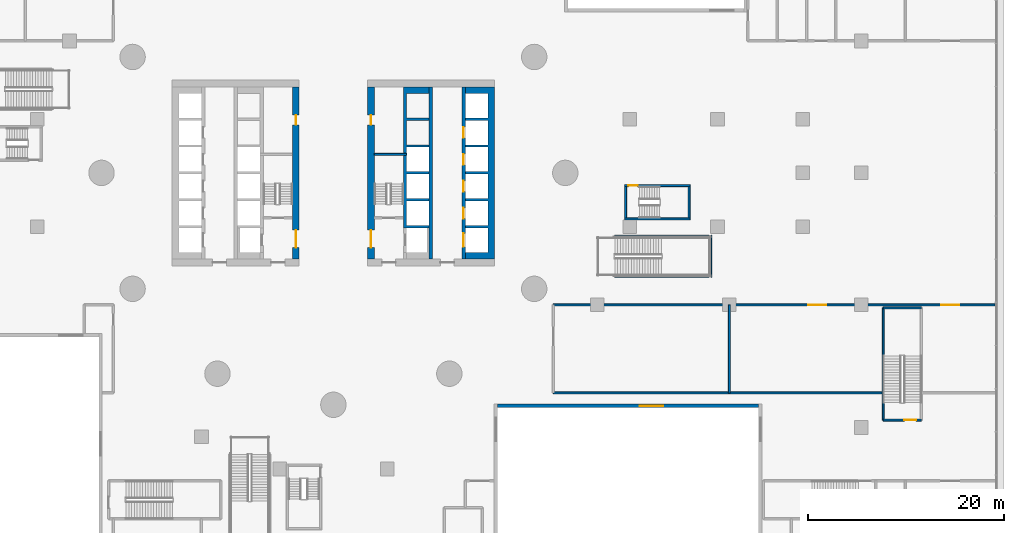
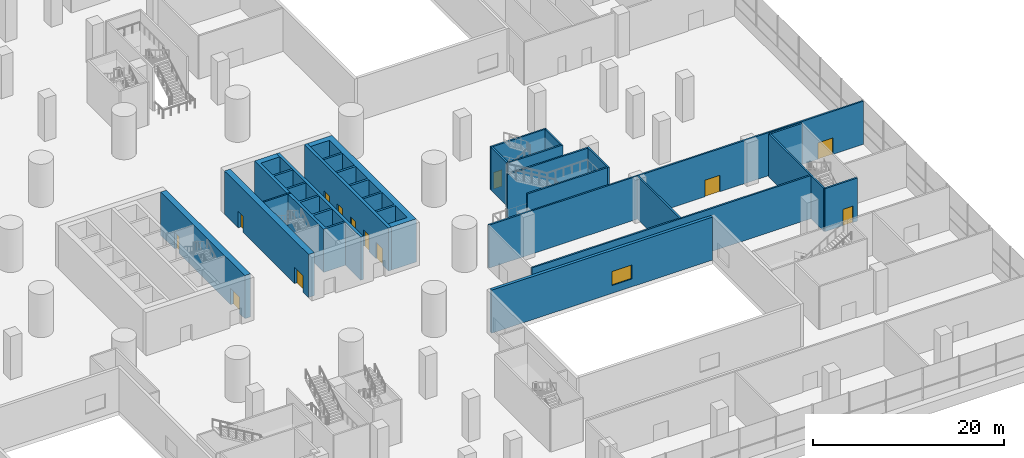
# One storey, part 31 of 52: 21 walls, 13 doors, 1 window, 14 openings.
"""IFC4 building model written with IfcOpenShell, lengths in metres."""

import ifcopenshell
import ifcopenshell.guid

model = None  # the IFC model being written
_history = None  # IfcOwnerHistory: only IFC2X3 demands one
_inside = {}  # id of a spatial element -> (the spatial element, [elements in it])
_under = {}  # id of a project, library or spatial element -> (it, [spatial elements below it])
_declared = {}  # id of a project -> (the project, [libraries it declares])
_typed = {}  # id of a type object -> (the type object, [elements of that type])
_made_of = {}  # id of a material, layer set ... -> (it, [elements and type objects made of it])


def new_model(schema):
    """Start an empty IFC model of exactly this schema.

    Asked for "IFC4X3", IfcOpenShell would pick the latest addendum, in which some entities
    have other attributes; the version numbers below select the first issue.
    IFC2X3 requires an IfcOwnerHistory on every rooted entity: one is made here for all.
    """
    global model, _history
    if schema == "IFC4X3":
        model = ifcopenshell.file(schema_version=(4, 3, 0, 0))
    else:
        model = ifcopenshell.file(schema=schema)
    _inside.clear()
    _under.clear()
    _declared.clear()
    _typed.clear()
    _made_of.clear()
    _history = None
    if model.schema == "IFC2X3":
        org = make("IfcOrganization", Name="unknown")
        user = make(
            "IfcPersonAndOrganization",
            ThePerson=make("IfcPerson", FamilyName="unknown"),
            TheOrganization=org,
        )
        app = make(
            "IfcApplication",
            ApplicationDeveloper=org,
            Version="unknown",
            ApplicationFullName="unknown",
            ApplicationIdentifier="unknown",
        )
        _history = make(
            "IfcOwnerHistory",
            OwningUser=user,
            OwningApplication=app,
            ChangeAction="ADDED",
            CreationDate=0,
        )
    return model


def make(cls, **values):
    """One entity of the class cls with the attributes given. An attribute that is None is left unset."""
    return model.create_entity(
        cls, **{name: value for name, value in values.items() if value is not None}
    )


def rooted(cls, **values):
    """An entity with a GlobalId (a new one), such as an element, a storey or a relation."""
    return make(cls, GlobalId=ifcopenshell.guid.new(), OwnerHistory=_history, **values)


def si_unit(unit_type, name, prefix=None):
    """IfcSIUnit, for example si_unit("LENGTHUNIT", "METRE", prefix="MILLI")."""
    return make("IfcSIUnit", UnitType=unit_type, Prefix=prefix, Name=name)


def assignment(units):
    """IfcUnitAssignment: the units of a project."""
    return None if units is None else make("IfcUnitAssignment", Units=units)


def point(xyz):
    """IfcCartesianPoint."""
    return None if xyz is None else make("IfcCartesianPoint", Coordinates=xyz)


def direction(xyz):
    """IfcDirection."""
    return None if xyz is None else make("IfcDirection", DirectionRatios=xyz)


def frame(location, z_axis=None, x_axis=None):
    """IfcAxis2Placement3D, a coordinate frame: its origin and axes. An axis left out is left unset."""
    return make(
        "IfcAxis2Placement3D",
        Location=point(location),
        Axis=direction(z_axis),
        RefDirection=direction(x_axis),
    )


def frame_2d(location, x_axis=None):
    """IfcAxis2Placement2D, a coordinate frame in the plane: its origin and x axis."""
    return make(
        "IfcAxis2Placement2D", Location=point(location), RefDirection=direction(x_axis)
    )


def origin():
    """The frame at (0, 0, 0) with its axes left unset."""
    return frame((0.0, 0.0, 0.0))


def place(relative_to, where):
    """IfcLocalPlacement: puts the frame where relative to a parent placement (None: the world)."""
    return make(
        "IfcLocalPlacement", PlacementRelTo=relative_to, RelativePlacement=where
    )


def context(
    kind, dimensions, precision=None, world=None, true_north=None, identifier=None
):
    """IfcGeometricRepresentationContext, for example the 3D "Model" context."""
    return make(
        "IfcGeometricRepresentationContext",
        ContextIdentifier=identifier,
        ContextType=kind,
        CoordinateSpaceDimension=dimensions,
        Precision=precision,
        WorldCoordinateSystem=world,
        TrueNorth=true_north,
    )


def subcontext(parent, identifier, kind, view, scale=None):
    """IfcGeometricRepresentationSubContext, for example "Body" below "Model"."""
    return make(
        "IfcGeometricRepresentationSubContext",
        ContextIdentifier=identifier,
        ContextType=kind,
        ParentContext=parent,
        TargetScale=scale,
        TargetView=view,
    )


def project(units=None, contexts=None):
    """IfcProject with its units and contexts."""
    return rooted(
        "IfcProject",
        Name="project",
        RepresentationContexts=contexts,
        UnitsInContext=assignment(units),
    )


def spatial(cls, under=None, at=None, **own):
    """A site, building, storey or space (cls), placed at a placement, below another one or the project."""
    s = rooted(cls, ObjectPlacement=at, **own)
    if under is not None:
        _under.setdefault(under.id(), (under, []))[1].append(s)
    return s


def polyline(points):
    """IfcPolyline through the points."""
    return make("IfcPolyline", Points=[point(p) for p in points])


def profile(cls, at=None, kind="AREA", **sizes):
    """A parametric profile (cls). Its sizes go by their IFC names, for example OverallWidth=200.0."""
    return make(cls, ProfileType=kind, Position=at, **sizes)


def rectangle(**sizes):
    """IfcRectangleProfileDef."""
    return profile("IfcRectangleProfileDef", **sizes)


def outline(outer, holes=None, kind="AREA"):
    """IfcArbitraryClosedProfileDef: a profile drawn as a closed curve; with holes, ...WithVoids."""
    if holes is None:
        return make("IfcArbitraryClosedProfileDef", ProfileType=kind, OuterCurve=outer)
    return make(
        "IfcArbitraryProfileDefWithVoids",
        ProfileType=kind,
        OuterCurve=outer,
        InnerCurves=holes,
    )


def extrude(swept, where, along, depth):
    """IfcExtrudedAreaSolid: the profile swept, set in the frame where, extruded along a direction by depth."""
    return make(
        "IfcExtrudedAreaSolid",
        SweptArea=swept,
        Position=where,
        ExtrudedDirection=direction(along),
        Depth=depth,
    )


def shape(context_of_items, identifier, shape_type, items):
    """IfcShapeRepresentation: the items that make up one representation, for example the "Body"."""
    return make(
        "IfcShapeRepresentation",
        ContextOfItems=context_of_items,
        RepresentationIdentifier=identifier,
        RepresentationType=shape_type,
        Items=items,
    )


def material(Name=None, Category=None):
    """IfcMaterial."""
    return make("IfcMaterial", Name=Name, Category=Category)


def layer(
    of_material, thickness, ventilated=None, Name=None, Category=None, Priority=None
):
    """IfcMaterialLayer: one layer of a wall or slab, of a material (None: an air gap)."""
    return make(
        "IfcMaterialLayer",
        Material=of_material,
        LayerThickness=thickness,
        IsVentilated=ventilated,
        Name=Name,
        Category=Category,
        Priority=Priority,
    )


def layer_set(layers, Name=None):
    """IfcMaterialLayerSet."""
    return make("IfcMaterialLayerSet", MaterialLayers=layers, LayerSetName=Name)


def made_of(thing, what):
    """Note that an element or type object is made of a material, layer set ...; save() writes the relation."""
    if what is not None:
        _made_of.setdefault(what.id(), (what, []))[1].append(thing)
    return thing


def type_object(cls, material=None, **own):
    """A type object (cls), such as IfcWallType, which elements share."""
    return made_of(rooted(cls, **own), material)


def element(
    cls,
    number,
    at=None,
    inside=None,
    cuts=None,
    type_object=None,
    material=None,
    context=None,
    identifier="Body",
    shape_type=None,
    held_by="IfcProductDefinitionShape",
    body=None,
    shapes=None,
    **own,
):
    """One element of the class cls, such as IfcWall. Its Tag is "e" and its number.

    at: its placement. inside: the storey or other place that contains it. cuts: it is an
    opening in that element (IfcRelVoidsElement). A single representation is given by context,
    identifier, shape_type and body (its items); several are given by shapes. held_by: the class
    of the entity that holds the representations. save() writes the other relations.
    """
    e = rooted(cls, Tag="e%d" % number, ObjectPlacement=at, **own)
    if body is not None:
        shapes = [shape(context, identifier, shape_type, body)]
    if shapes is not None:
        e.Representation = make(held_by, Representations=shapes)
    if inside is not None:
        _inside.setdefault(inside.id(), (inside, []))[1].append(e)
    if cuts is not None:
        rooted(
            "IfcRelVoidsElement", RelatingBuildingElement=cuts, RelatedOpeningElement=e
        )
    if type_object is not None:
        _typed.setdefault(type_object.id(), (type_object, []))[1].append(e)
    return made_of(e, material)


def fill(opening, filler):
    """IfcRelFillsElement: the door or window that sits in an opening."""
    return rooted(
        "IfcRelFillsElement",
        RelatingOpeningElement=opening,
        RelatedBuildingElement=filler,
    )


def aggregate(whole, parts):
    """IfcRelAggregates: a whole, such as a stair, and the parts it consists of."""
    return rooted("IfcRelAggregates", RelatingObject=whole, RelatedObjects=parts)


def save(model, path):
    """Write the relations noted so far, then the file.

    IfcRelAggregates (storeys below a building ...), IfcRelContainedInSpatialStructure (elements
    in a storey), IfcRelDefinesByType, IfcRelAssociatesMaterial and IfcRelDeclares: one each for
    every whole, place, type object, material and project.
    """
    for whole, parts in _under.values():
        aggregate(whole, parts)
    for where, things in _inside.values():
        rooted(
            "IfcRelContainedInSpatialStructure",
            RelatedElements=things,
            RelatingStructure=where,
        )
    for kind, things in _typed.values():
        rooted("IfcRelDefinesByType", RelatedObjects=things, RelatingType=kind)
    for what, things in _made_of.values():
        rooted("IfcRelAssociatesMaterial", RelatedObjects=things, RelatingMaterial=what)
    for by, libraries in _declared.values():
        rooted("IfcRelDeclares", RelatingContext=by, RelatedDefinitions=libraries)
    model.write(path)


model = new_model("IFC4")

# Units and contexts
model_context = context("Model", 3, precision=1e-05, world=origin(), true_north=direction((0.0, 1.0)))
body_context = subcontext(model_context, "Body", "Model", "MODEL_VIEW")
ifc_project = project(units=[si_unit("LENGTHUNIT", "METRE"), si_unit("AREAUNIT", "SQUARE_METRE"), si_unit("VOLUMEUNIT", "CUBIC_METRE"), si_unit("PLANEANGLEUNIT", "RADIAN"), si_unit("MASSUNIT", "GRAM", prefix="KILO")], contexts=[model_context])

# Site, building, storey
site_placement = place(None, origin())
site = spatial("IfcSite", under=ifc_project, at=site_placement, CompositionType="ELEMENT")
building_placement = place(site_placement, origin())
building = spatial("IfcBuilding", under=site, at=building_placement, Name="Tamarind Cross Interchange Tower", CompositionType="ELEMENT")
storey_placement = place(building_placement, frame((0.0, 0.0, 9.0)))
storey = spatial("IfcBuildingStorey", under=building, at=storey_placement, Name="L01", CompositionType="ELEMENT", Elevation=9.0)

# Wall, openings, doors
ifc_material_1 = material(Name="Concrete C80", Category="concrete")
ifc_layer_1 = layer(ifc_material_1, 0.699951171875)
ifc_layer_set_1 = layer_set([ifc_layer_1], Name="Concrete C80")
wall_type_1 = type_object("IfcWallType", Name="Core wall 700 mm Concrete C80", PredefinedType="SHEAR", material=ifc_layer_set_1)
wall_1_placement = place(storey_placement, frame((-3.85009765625, -8.800048828125, 0.0), z_axis=(0.0, 0.0, 1.0), x_axis=(0.0, 1.0, 0.0)))
wall_1 = element("IfcWall", 1, at=wall_1_placement, inside=storey, type_object=wall_type_1, Name="Core wall CWL-L01-W-IN", PredefinedType="SHEAR", context=body_context, shape_type="SweptSolid", body=[
    extrude(rectangle(XDim=17.60009765625, YDim=0.699951171875, at=frame_2d((8.800048828125, 0.0))), origin(), (0.0, 0.0, 1.0), 5.5),
])
opening_1_placement = place(wall_1_placement, frame((1.14990234375, 0.0, 0.0)))
opening_1 = element("IfcOpeningElement", 2, at=opening_1_placement, cuts=wall_1, Name="Opening DCW4", PredefinedType="OPENING", context=body_context, shape_type="SweptSolid", body=[
    extrude(rectangle(XDim=1.800048828125, YDim=2.10009765625, at=frame_2d((0.89990234375, 1.050048828125))), frame((0.0, 0.35986328125, 0.0), z_axis=(0.0, -1.0, 0.0), x_axis=(1.0, 0.0, 0.0)), (0.0, 0.0, 1.0), 0.719970703125),
])
opening_2_placement = place(wall_1_placement, frame((13.699951171875, 0.0, 0.0)))
opening_2 = element("IfcOpeningElement", 3, at=opening_2_placement, cuts=wall_1, Name="Opening DCW5", PredefinedType="OPENING", context=body_context, shape_type="SweptSolid", body=[
    extrude(rectangle(XDim=1.0, YDim=2.10009765625, at=frame_2d((0.5, 1.050048828125))), frame((0.0, 0.35986328125, 0.0), z_axis=(0.0, -1.0, 0.0), x_axis=(1.0, 0.0, 0.0)), (0.0, 0.0, 1.0), 0.719970703125),
])
ifc_material_2 = material(Name="Steel, fire-resisting", Category="steel")
door_type_1 = type_object("IfcDoorType", Name="Core fire door 1000 x 2100 FD90", OperationType="SINGLE_SWING_LEFT", PredefinedType="DOOR", material=ifc_material_2)
door_1_placement = place(opening_2_placement, origin())
door_1 = element("IfcDoor", 4, at=door_1_placement, inside=storey, type_object=door_type_1, Name="L01 riser room door", OperationType="SINGLE_SWING_LEFT", OverallHeight=2.10009765625, OverallWidth=1.0, PredefinedType="DOOR", context=body_context, shape_type="SweptSolid", body=[
    extrude(rectangle(XDim=1.0, YDim=2.10009765625, at=frame_2d((0.5, 1.050048828125))), frame((0.0, 0.02490234375, 0.0), z_axis=(0.0, -1.0, 0.0), x_axis=(1.0, 0.0, 0.0)), (0.0, 0.0, 1.0), 0.050048828125),
])
fill(opening_2, door_1)
door_type_2 = type_object("IfcDoorType", Name="Core fire door 1800 x 2100 FD90", OperationType="SINGLE_SWING_LEFT", PredefinedType="DOOR", material=ifc_material_2)
door_2_placement = place(opening_1_placement, origin())
door_2 = element("IfcDoor", 5, at=door_2_placement, inside=storey, type_object=door_type_2, Name="L01 firefighting lobby door", OperationType="SINGLE_SWING_LEFT", OverallHeight=2.10009765625, OverallWidth=1.800048828125, PredefinedType="DOOR", context=body_context, shape_type="SweptSolid", body=[
    extrude(rectangle(XDim=1.800048828125, YDim=2.10009765625, at=frame_2d((0.89990234375, 1.050048828125))), frame((0.0, 0.02490234375, 0.0), z_axis=(0.0, -1.0, 0.0), x_axis=(1.0, 0.0, 0.0)), (0.0, 0.0, 1.0), 0.050048828125),
])
fill(opening_1, door_2)

# Wall
wall_2_placement = place(storey_placement, origin())
element("IfcWall", 6, at=wall_2_placement, inside=storey, type_object=wall_type_1, Name="Core wall CWL-L01-E-A", PredefinedType="SHEAR", context=body_context, shape_type="SweptSolid", body=[
    extrude(outline(polyline([(13.5, -8.800048828125), (15.800048828125, -8.800048828125), (16.5, -8.800048828125), (16.5, 8.800048828125), (15.800048828125, 8.800048828125), (13.5, 8.800048828125), (13.5, 8.125), (15.800048828125, 8.125), (15.800048828125, 5.625), (13.5, 5.625), (13.5, 5.375), (15.800048828125, 5.375), (15.800048828125, 2.875), (13.5, 2.875), (13.5, 2.625), (15.800048828125, 2.625), (15.800048828125, 0.125), (13.5, 0.125), (13.5, -0.125), (15.800048828125, -0.125), (15.800048828125, -2.625), (13.5, -2.625), (13.5, -2.875), (15.800048828125, -2.875), (15.800048828125, -5.375), (13.5, -5.375), (13.5, -5.625), (15.800048828125, -5.625), (15.800048828125, -8.125), (13.5, -8.125), (13.5, -8.800048828125)])), origin(), (0.0, 0.0, 1.0), 5.5),
])

# Wall, openings, doors
wall_3_placement = place(storey_placement, frame((3.85009765625, -8.800048828125, 0.0), z_axis=(0.0, 0.0, 1.0), x_axis=(0.0, 1.0, 0.0)))
wall_3 = element("IfcWall", 7, at=wall_3_placement, inside=storey, type_object=wall_type_1, Name="Core wall CWL-L01-E-IN", PredefinedType="SHEAR", context=body_context, shape_type="SweptSolid", body=[
    extrude(rectangle(XDim=17.60009765625, YDim=0.699951171875, at=frame_2d((8.800048828125, 0.0))), origin(), (0.0, 0.0, 1.0), 5.5),
])
opening_3_placement = place(wall_3_placement, frame((1.14990234375, 0.0, 0.0)))
opening_3 = element("IfcOpeningElement", 8, at=opening_3_placement, cuts=wall_3, Name="Opening DCE4", PredefinedType="OPENING", context=body_context, shape_type="SweptSolid", body=[
    extrude(rectangle(XDim=1.800048828125, YDim=2.10009765625, at=frame_2d((0.89990234375, 1.050048828125))), frame((0.0, 0.35986328125, 0.0), z_axis=(0.0, -1.0, 0.0), x_axis=(1.0, 0.0, 0.0)), (0.0, 0.0, 1.0), 0.719970703125),
])
opening_4_placement = place(wall_3_placement, frame((13.699951171875, 0.0, 0.0)))
opening_4 = element("IfcOpeningElement", 9, at=opening_4_placement, cuts=wall_3, Name="Opening DCE5", PredefinedType="OPENING", context=body_context, shape_type="SweptSolid", body=[
    extrude(rectangle(XDim=1.0, YDim=2.10009765625, at=frame_2d((0.5, 1.050048828125))), frame((0.0, 0.35986328125, 0.0), z_axis=(0.0, -1.0, 0.0), x_axis=(1.0, 0.0, 0.0)), (0.0, 0.0, 1.0), 0.719970703125),
])
door_3_placement = place(opening_4_placement, origin())
door_3 = element("IfcDoor", 10, at=door_3_placement, inside=storey, type_object=door_type_1, Name="L01 riser room door", OperationType="SINGLE_SWING_LEFT", OverallHeight=2.10009765625, OverallWidth=1.0, PredefinedType="DOOR", context=body_context, shape_type="SweptSolid", body=[
    extrude(rectangle(XDim=1.0, YDim=2.10009765625, at=frame_2d((0.5, 1.050048828125))), frame((0.0, 0.02490234375, 0.0), z_axis=(0.0, -1.0, 0.0), x_axis=(1.0, 0.0, 0.0)), (0.0, 0.0, 1.0), 0.050048828125),
])
fill(opening_4, door_3)
door_4_placement = place(opening_3_placement, origin())
door_4 = element("IfcDoor", 11, at=door_4_placement, inside=storey, type_object=door_type_2, Name="L01 firefighting lobby door", OperationType="SINGLE_SWING_LEFT", OverallHeight=2.10009765625, OverallWidth=1.800048828125, PredefinedType="DOOR", context=body_context, shape_type="SweptSolid", body=[
    extrude(rectangle(XDim=1.800048828125, YDim=2.10009765625, at=frame_2d((0.89990234375, 1.050048828125))), frame((0.0, 0.02490234375, 0.0), z_axis=(0.0, -1.0, 0.0), x_axis=(1.0, 0.0, 0.0)), (0.0, 0.0, 1.0), 0.050048828125),
])
fill(opening_3, door_4)

# Walls
ifc_layer_2 = layer(ifc_material_1, 0.199951171875)
ifc_layer_set_2 = layer_set([ifc_layer_2], Name="Concrete C80")
wall_type_2 = type_object("IfcWallType", Name="Core web wall 200 mm Concrete C80", PredefinedType="SHEAR", material=ifc_layer_set_2)
wall_4_placement = place(storey_placement, frame((7.5, 1.89990234375, 0.0), z_axis=(0.0, 0.0, 1.0), x_axis=(-1.0, 0.0, 0.0)))
element("IfcWall", 12, at=wall_4_placement, inside=storey, type_object=wall_type_2, Name="Core wall CWL-L01-E-BD", PredefinedType="SHEAR", context=body_context, shape_type="SweptSolid", body=[
    extrude(rectangle(XDim=3.300048828125, YDim=0.199951171875, at=frame_2d((1.64990234375, 0.0))), origin(), (0.0, 0.0, 1.0), 5.5),
])
ifc_layer_3 = layer(ifc_material_1, 0.35009765625)
ifc_layer_set_3 = layer_set([ifc_layer_3], Name="Concrete C80")
wall_type_3 = type_object("IfcWallType", Name="Core web wall 350 mm Concrete C80", PredefinedType="SHEAR", material=ifc_layer_set_3)
wall_5_placement = place(storey_placement, origin())
element("IfcWall", 13, at=wall_5_placement, inside=storey, type_object=wall_type_3, Name="Core wall CWL-L01-E-BN", PredefinedType="SHEAR", context=body_context, shape_type="SweptSolid", body=[
    extrude(outline(polyline([(9.800048828125, -5.375), (7.5, -5.375), (7.5, -2.875), (9.800048828125, -2.875), (9.800048828125, -2.625), (7.5, -2.625), (7.5, -0.125), (9.800048828125, -0.125), (9.800048828125, 0.125), (7.5, 0.125), (7.5, 2.625), (9.800048828125, 2.625), (9.800048828125, 2.875), (7.5, 2.875), (7.5, 5.375), (9.800048828125, 5.375), (9.800048828125, 5.625), (7.5, 5.625), (7.5, 8.125), (9.800048828125, 8.125), (9.800048828125, 8.800048828125), (7.5, 8.800048828125), (7.14990234375, 8.800048828125), (7.14990234375, -5.625), (7.5, -5.625), (9.800048828125, -5.625), (9.800048828125, -5.375)])), origin(), (0.0, 0.0, 1.0), 5.5),
])

# Wall, openings, doors
wall_6_placement = place(storey_placement, frame((13.324951171875, -8.800048828125, 0.0), z_axis=(0.0, 0.0, 1.0), x_axis=(0.0, 1.0, 0.0)))
wall_6 = element("IfcWall", 14, at=wall_6_placement, inside=storey, type_object=wall_type_3, Name="Core wall CWL-L01-E-LA", PredefinedType="SHEAR", context=body_context, shape_type="SweptSolid", body=[
    extrude(rectangle(XDim=17.60009765625, YDim=0.35009765625, at=frame_2d((8.800048828125, 0.0))), origin(), (0.0, 0.0, 1.0), 5.5),
])
opening_5_placement = place(wall_6_placement, frame((1.22509765625, 0.0, 0.0)))
opening_5 = element("IfcOpeningElement", 15, at=opening_5_placement, cuts=wall_6, Name="Opening LD13L01", PredefinedType="OPENING", context=body_context, shape_type="SweptSolid", body=[
    extrude(rectangle(XDim=1.39990234375, YDim=2.10009765625, at=frame_2d((0.699951171875, 1.050048828125))), frame((0.0, 0.18505859375, 0.0), z_axis=(0.0, -1.0, 0.0), x_axis=(1.0, 0.0, 0.0)), (0.0, 0.0, 1.0), 0.3701171875),
])
opening_6_placement = place(wall_6_placement, frame((4.125, 0.0, 0.0)))
opening_6 = element("IfcOpeningElement", 16, at=opening_6_placement, cuts=wall_6, Name="Opening LD14L01", PredefinedType="OPENING", context=body_context, shape_type="SweptSolid", body=[
    extrude(rectangle(XDim=1.10009765625, YDim=2.10009765625, at=frame_2d((0.550048828125, 1.050048828125))), frame((0.0, 0.18505859375, 0.0), z_axis=(0.0, -1.0, 0.0), x_axis=(1.0, 0.0, 0.0)), (0.0, 0.0, 1.0), 0.3701171875),
])
opening_7_placement = place(wall_6_placement, frame((6.875, 0.0, 0.0)))
opening_7 = element("IfcOpeningElement", 17, at=opening_7_placement, cuts=wall_6, Name="Opening LD15L01", PredefinedType="OPENING", context=body_context, shape_type="SweptSolid", body=[
    extrude(rectangle(XDim=1.10009765625, YDim=2.10009765625, at=frame_2d((0.550048828125, 1.050048828125))), frame((0.0, 0.18505859375, 0.0), z_axis=(0.0, -1.0, 0.0), x_axis=(1.0, 0.0, 0.0)), (0.0, 0.0, 1.0), 0.3701171875),
])
opening_8_placement = place(wall_6_placement, frame((9.625, 0.0, 0.0)))
opening_8 = element("IfcOpeningElement", 18, at=opening_8_placement, cuts=wall_6, Name="Opening LD16L01", PredefinedType="OPENING", context=body_context, shape_type="SweptSolid", body=[
    extrude(rectangle(XDim=1.10009765625, YDim=2.10009765625, at=frame_2d((0.550048828125, 1.050048828125))), frame((0.0, 0.18505859375, 0.0), z_axis=(0.0, -1.0, 0.0), x_axis=(1.0, 0.0, 0.0)), (0.0, 0.0, 1.0), 0.3701171875),
])
opening_9_placement = place(wall_6_placement, frame((12.375, 0.0, 0.0)))
opening_9 = element("IfcOpeningElement", 19, at=opening_9_placement, cuts=wall_6, Name="Opening LD17L01", PredefinedType="OPENING", context=body_context, shape_type="SweptSolid", body=[
    extrude(rectangle(XDim=1.10009765625, YDim=2.10009765625, at=frame_2d((0.550048828125, 1.050048828125))), frame((0.0, 0.18505859375, 0.0), z_axis=(0.0, -1.0, 0.0), x_axis=(1.0, 0.0, 0.0)), (0.0, 0.0, 1.0), 0.3701171875),
])
ifc_material_3 = material(Name="Stainless steel panel", Category="steel")
door_type_3 = type_object("IfcDoorType", Name="Lift landing door 1100 x 2100 E 120", OperationType="SLIDING_TO_LEFT", PredefinedType="DOOR", material=ifc_material_3)
door_5_placement = place(opening_6_placement, origin())
door_5 = element("IfcDoor", 20, at=door_5_placement, inside=storey, type_object=door_type_3, Name="L01 landing door LF14", OperationType="SLIDING_TO_LEFT", OverallHeight=2.10009765625, OverallWidth=1.10009765625, PredefinedType="DOOR", context=body_context, shape_type="SweptSolid", body=[
    extrude(rectangle(XDim=1.10009765625, YDim=2.10009765625, at=frame_2d((0.550048828125, 1.050048828125))), frame((0.0, 0.02490234375, 0.0), z_axis=(0.0, -1.0, 0.0), x_axis=(1.0, 0.0, 0.0)), (0.0, 0.0, 1.0), 0.050048828125),
])
fill(opening_6, door_5)
door_6_placement = place(opening_7_placement, origin())
door_6 = element("IfcDoor", 21, at=door_6_placement, inside=storey, type_object=door_type_3, Name="L01 landing door LF15", OperationType="SLIDING_TO_LEFT", OverallHeight=2.10009765625, OverallWidth=1.10009765625, PredefinedType="DOOR", context=body_context, shape_type="SweptSolid", body=[
    extrude(rectangle(XDim=1.10009765625, YDim=2.10009765625, at=frame_2d((0.550048828125, 1.050048828125))), frame((0.0, 0.02490234375, 0.0), z_axis=(0.0, -1.0, 0.0), x_axis=(1.0, 0.0, 0.0)), (0.0, 0.0, 1.0), 0.050048828125),
])
fill(opening_7, door_6)
door_7_placement = place(opening_8_placement, origin())
door_7 = element("IfcDoor", 22, at=door_7_placement, inside=storey, type_object=door_type_3, Name="L01 landing door LF16", OperationType="SLIDING_TO_LEFT", OverallHeight=2.10009765625, OverallWidth=1.10009765625, PredefinedType="DOOR", context=body_context, shape_type="SweptSolid", body=[
    extrude(rectangle(XDim=1.10009765625, YDim=2.10009765625, at=frame_2d((0.550048828125, 1.050048828125))), frame((0.0, 0.02490234375, 0.0), z_axis=(0.0, -1.0, 0.0), x_axis=(1.0, 0.0, 0.0)), (0.0, 0.0, 1.0), 0.050048828125),
])
fill(opening_8, door_7)
door_8_placement = place(opening_9_placement, origin())
door_8 = element("IfcDoor", 23, at=door_8_placement, inside=storey, type_object=door_type_3, Name="L01 landing door LF17", OperationType="SLIDING_TO_LEFT", OverallHeight=2.10009765625, OverallWidth=1.10009765625, PredefinedType="DOOR", context=body_context, shape_type="SweptSolid", body=[
    extrude(rectangle(XDim=1.10009765625, YDim=2.10009765625, at=frame_2d((0.550048828125, 1.050048828125))), frame((0.0, 0.02490234375, 0.0), z_axis=(0.0, -1.0, 0.0), x_axis=(1.0, 0.0, 0.0)), (0.0, 0.0, 1.0), 0.050048828125),
])
fill(opening_9, door_8)
door_type_4 = type_object("IfcDoorType", Name="Lift landing door 1400 x 2100 E 120", OperationType="SLIDING_TO_LEFT", PredefinedType="DOOR", material=ifc_material_3)
door_9_placement = place(opening_5_placement, origin())
door_9 = element("IfcDoor", 24, at=door_9_placement, inside=storey, type_object=door_type_4, Name="L01 landing door LF13", OperationType="SLIDING_TO_LEFT", OverallHeight=2.10009765625, OverallWidth=1.39990234375, PredefinedType="DOOR", context=body_context, shape_type="SweptSolid", body=[
    extrude(rectangle(XDim=1.39990234375, YDim=2.10009765625, at=frame_2d((0.699951171875, 1.050048828125))), frame((0.0, 0.02490234375, 0.0), z_axis=(0.0, -1.0, 0.0), x_axis=(1.0, 0.0, 0.0)), (0.0, 0.0, 1.0), 0.050048828125),
])
fill(opening_5, door_9)

# Walls
wall_7_placement = place(storey_placement, frame((9.97509765625, -8.800048828125, 0.0), z_axis=(0.0, 0.0, 1.0), x_axis=(0.0, 1.0, 0.0)))
element("IfcWall", 25, at=wall_7_placement, inside=storey, type_object=wall_type_3, Name="Core wall CWL-L01-E-LB", PredefinedType="SHEAR", context=body_context, shape_type="SweptSolid", body=[
    extrude(rectangle(XDim=17.60009765625, YDim=0.35009765625, at=frame_2d((8.800048828125, 0.0))), origin(), (0.0, 0.0, 1.0), 5.5),
])
ifc_material_4 = material(Name="Masonry partition, fire-rated", Category="masonry")
ifc_layer_4 = layer(ifc_material_4, 0.199951171875)
ifc_layer_set_4 = layer_set([ifc_layer_4], Name="Masonry partition, fire-rated")
wall_type_4 = type_object("IfcWallType", Name="Fire partition 200 EI 120", PredefinedType="PARTITIONING", material=ifc_layer_set_4)
wall_8_placement = place(storey_placement, frame((22.5, -22.5, 0.0), z_axis=(0.0, 0.0, 1.0), x_axis=(1.0, 0.0, 0.0)))
element("IfcWall", 26, at=wall_8_placement, inside=storey, type_object=wall_type_4, Name="L01 partition 99", PredefinedType="PARTITIONING", context=body_context, shape_type="SweptSolid", body=[
    extrude(rectangle(XDim=33.719970703125, YDim=0.199951171875, at=frame_2d((16.85986328125, 0.0))), origin(), (0.0, 0.0, 1.0), 5.5),
])
wall_9_placement = place(storey_placement, frame((40.5, -22.5, 0.0), z_axis=(0.0, 0.0, 1.0), x_axis=(0.0, 1.0, 0.0)))
element("IfcWall", 27, at=wall_9_placement, inside=storey, type_object=wall_type_4, Name="L01 partition 100", PredefinedType="PARTITIONING", context=body_context, shape_type="SweptSolid", body=[
    extrude(rectangle(XDim=9.0, YDim=0.199951171875, at=frame_2d((4.5, 0.0))), origin(), (0.0, 0.0, 1.0), 5.5),
])

# Wall, openings, doors
wall_10_placement = place(storey_placement, frame((22.5, -13.5, 0.0), z_axis=(0.0, 0.0, 1.0), x_axis=(1.0, 0.0, 0.0)))
wall_10 = element("IfcWall", 28, at=wall_10_placement, inside=storey, type_object=wall_type_4, Name="L01 partition 102", PredefinedType="PARTITIONING", context=body_context, shape_type="SweptSolid", body=[
    extrude(rectangle(XDim=45.198974609375, YDim=0.199951171875, at=frame_2d((22.599609375, 0.0))), origin(), (0.0, 0.0, 1.0), 5.5),
])
opening_10_placement = place(wall_10_placement, frame((26.10009765625, 0.0, 0.0)))
opening_10 = element("IfcOpeningElement", 29, at=opening_10_placement, cuts=wall_10, Name="Opening DL01-44", PredefinedType="OPENING", context=body_context, shape_type="SweptSolid", body=[
    extrude(rectangle(XDim=1.800048828125, YDim=2.10009765625, at=frame_2d((0.89990234375, 1.050048828125))), frame((0.0, 0.10986328125, 0.0), z_axis=(0.0, -1.0, 0.0), x_axis=(1.0, 0.0, 0.0)), (0.0, 0.0, 1.0), 0.219970703125),
])
opening_11_placement = place(wall_10_placement, frame((39.699951171875, 0.0, 0.0)))
opening_11 = element("IfcOpeningElement", 30, at=opening_11_placement, cuts=wall_10, Name="Opening DL01-45", PredefinedType="OPENING", context=body_context, shape_type="SweptSolid", body=[
    extrude(rectangle(XDim=1.800048828125, YDim=2.10009765625, at=frame_2d((0.89990234375, 1.050048828125))), frame((0.0, 0.10986328125, 0.0), z_axis=(0.0, -1.0, 0.0), x_axis=(1.0, 0.0, 0.0)), (0.0, 0.0, 1.0), 0.219970703125),
])
door_type_5 = type_object("IfcDoorType", Name="Podium door 1800 x 2100 FD60", OperationType="SINGLE_SWING_LEFT", PredefinedType="DOOR", material=ifc_material_2)
door_10_placement = place(opening_10_placement, origin())
door_10 = element("IfcDoor", 31, at=door_10_placement, inside=storey, type_object=door_type_5, Name="L01 door Gift Shop 0128", OperationType="SINGLE_SWING_RIGHT", OverallHeight=2.10009765625, OverallWidth=1.800048828125, PredefinedType="DOOR", context=body_context, shape_type="SweptSolid", body=[
    extrude(rectangle(XDim=1.800048828125, YDim=2.10009765625, at=frame_2d((0.89990234375, 1.050048828125))), frame((0.0, 0.02490234375, 0.0), z_axis=(0.0, -1.0, 0.0), x_axis=(1.0, 0.0, 0.0)), (0.0, 0.0, 1.0), 0.050048828125),
])
fill(opening_10, door_10)
door_11_placement = place(opening_11_placement, origin())
door_11 = element("IfcDoor", 32, at=door_11_placement, inside=storey, type_object=door_type_5, Name="L01 door Bookshop 0129", OperationType="SINGLE_SWING_LEFT", OverallHeight=2.10009765625, OverallWidth=1.800048828125, PredefinedType="DOOR", context=body_context, shape_type="SweptSolid", body=[
    extrude(rectangle(XDim=1.800048828125, YDim=2.10009765625, at=frame_2d((0.89990234375, 1.050048828125))), frame((0.0, 0.02490234375, 0.0), z_axis=(0.0, -1.0, 0.0), x_axis=(1.0, 0.0, 0.0)), (0.0, 0.0, 1.0), 0.050048828125),
])
fill(opening_11, door_11)

# Wall, opening, window
ifc_material_5 = material(Name="Precast concrete C40", Category="concrete")
ifc_layer_5 = layer(ifc_material_5, 0.35009765625)
ifc_layer_set_5 = layer_set([ifc_layer_5], Name="Precast concrete C40")
wall_type_5 = type_object("IfcWallType", Name="Podium facade wall", PredefinedType="SOLIDWALL", material=ifc_layer_set_5)
wall_11_placement = place(storey_placement, frame((16.800048828125, -23.824951171875, 0.0), z_axis=(0.0, 0.0, 1.0), x_axis=(1.0, 0.0, 0.0)))
wall_11 = element("IfcWall", 33, at=wall_11_placement, inside=storey, type_object=wall_type_5, Name="CTW-L01-SEN00", PredefinedType="SOLIDWALL", context=body_context, shape_type="SweptSolid", body=[
    extrude(rectangle(XDim=26.699951171875, YDim=0.35009765625, at=frame_2d((13.35009765625, 0.0))), origin(), (0.0, 0.0, 1.0), 5.5),
])
opening_12_placement = place(wall_11_placement, frame((14.550048828125, 0.0, 1.0)))
opening_12 = element("IfcOpeningElement", 34, at=opening_12_placement, cuts=wall_11, Name="Opening W4", PredefinedType="OPENING", context=body_context, shape_type="SweptSolid", body=[
    extrude(rectangle(XDim=2.39990234375, YDim=1.800048828125, at=frame_2d((1.199951171875, 0.89990234375))), frame((0.0, 0.18505859375, 0.0), z_axis=(0.0, -1.0, 0.0), x_axis=(1.0, 0.0, 0.0)), (0.0, 0.0, 1.0), 0.3701171875),
])
ifc_material_6 = material(Name="Aluminium and toughened glass", Category="aluminium")
window_type = type_object("IfcWindowType", Name="Podium daylight window", PartitioningType="SINGLE_PANEL", PredefinedType="WINDOW", material=ifc_material_6)
window_placement = place(opening_12_placement, origin())
window = element("IfcWindow", 35, at=window_placement, inside=storey, type_object=window_type, Name="CTX-L01-SEN-01-00", OverallHeight=1.800048828125, OverallWidth=2.39990234375, PartitioningType="SINGLE_PANEL", PredefinedType="WINDOW", context=body_context, shape_type="SweptSolid", body=[
    extrude(rectangle(XDim=2.39990234375, YDim=1.800048828125, at=frame_2d((1.199951171875, 0.89990234375))), frame((0.0, 0.030029296875, 0.0), z_axis=(0.0, -1.0, 0.0), x_axis=(1.0, 0.0, 0.0)), (0.0, 0.0, 1.0), 0.06005859375),
])
fill(opening_12, window)

# Walls
ifc_material_7 = material(Name="Concrete C40", Category="concrete")
ifc_layer_6 = layer(ifc_material_7, 0.199951171875)
ifc_layer_set_6 = layer_set([ifc_layer_6], Name="Concrete C40")
wall_type_6 = type_object("IfcWallType", Name="Stair shaft wall 200", PredefinedType="SOLIDWALL", material=ifc_layer_set_6)
for number, where, z_axis, x_axis, name in (
    (36, (28.800048828125, -10.60009765625, 0.0), (0.0, 0.0, 1.0), (1.0, 0.0, 0.0), "public stair PS-E shaft wall L"),
    (37, (28.800048828125, -6.5, 0.0), (0.0, 0.0, 1.0), (1.0, 0.0, 0.0), "public stair PS-E shaft wall R"),
):
    element("IfcWall", number, at=place(storey_placement, frame(where, z_axis=z_axis, x_axis=x_axis)), inside=storey, type_object=wall_type_6, Name=name, PredefinedType="SOLIDWALL", context=body_context, shape_type="SweptSolid", body=[
        extrude(rectangle(XDim=9.699951171875, YDim=0.199951171875, at=frame_2d((4.85009765625, 0.0))), origin(), (0.0, 0.0, 1.0), 5.5),
    ])
wall_12_placement = place(storey_placement, frame((38.60009765625, -10.699951171875, 0.0), z_axis=(0.0, 0.0, 1.0), x_axis=(0.0, 1.0, 0.0)))
element("IfcWall", 38, at=wall_12_placement, inside=storey, type_object=wall_type_6, Name="public stair PS-E shaft wall F", PredefinedType="SOLIDWALL", context=body_context, shape_type="SweptSolid", body=[
    extrude(rectangle(XDim=4.300048828125, YDim=0.199951171875, at=frame_2d((2.14990234375, 0.0))), origin(), (0.0, 0.0, 1.0), 5.5),
])
ifc_layer_7 = layer(ifc_material_7, 0.199951171875)
ifc_layer_set_7 = layer_set([ifc_layer_7], Name="Concrete C40")
wall_type_7 = type_object("IfcWallType", Name="Stair shaft wall 200 EI 180", PredefinedType="PARTITIONING", material=ifc_layer_set_7)
wall_13_placement = place(storey_placement, frame((56.25, -25.300048828125, 0.0), z_axis=(0.0, 0.0, 1.0), x_axis=(0.0, 1.0, 0.0)))
element("IfcWall", 39, at=wall_13_placement, inside=storey, type_object=wall_type_7, Name="L01 stair shaft wall 37", PredefinedType="PARTITIONING", context=body_context, shape_type="SweptSolid", body=[
    extrude(rectangle(XDim=11.5, YDim=0.199951171875, at=frame_2d((5.75, 0.0))), origin(), (0.0, 0.0, 1.0), 5.5),
])
wall_14_placement = place(storey_placement, frame((56.25, -13.800048828125, 0.0), z_axis=(0.0, 0.0, 1.0), x_axis=(1.0, 0.0, 0.0)))
element("IfcWall", 40, at=wall_14_placement, inside=storey, type_object=wall_type_7, Name="L01 stair shaft wall 38", PredefinedType="PARTITIONING", context=body_context, shape_type="SweptSolid", body=[
    extrude(rectangle(XDim=3.89990234375, YDim=0.199951171875, at=frame_2d((1.949951171875, 0.0))), origin(), (0.0, 0.0, 1.0), 5.5),
])

# Wall, opening, door
wall_15_placement = place(storey_placement, frame((56.25, -25.300048828125, 0.0), z_axis=(0.0, 0.0, 1.0), x_axis=(1.0, 0.0, 0.0)))
wall_15 = element("IfcWall", 41, at=wall_15_placement, inside=storey, type_object=wall_type_7, Name="L01 stair shaft wall 40", PredefinedType="PARTITIONING", context=body_context, shape_type="SweptSolid", body=[
    extrude(rectangle(XDim=3.89990234375, YDim=0.199951171875, at=frame_2d((1.949951171875, 0.0))), origin(), (0.0, 0.0, 1.0), 5.5),
])
opening_13_placement = place(wall_15_placement, frame((2.14990234375, 0.0, 0.0)))
opening_13 = element("IfcOpeningElement", 42, at=opening_13_placement, cuts=wall_15, Name="Opening DL01-11", PredefinedType="OPENING", context=body_context, shape_type="SweptSolid", body=[
    extrude(rectangle(XDim=1.199951171875, YDim=2.10009765625, at=frame_2d((0.60009765625, 1.050048828125))), frame((0.0, 0.10986328125, 0.0), z_axis=(0.0, -1.0, 0.0), x_axis=(1.0, 0.0, 0.0)), (0.0, 0.0, 1.0), 0.219970703125),
])
door_type_6 = type_object("IfcDoorType", Name="Podium door 1200 x 2100 FD90", OperationType="SINGLE_SWING_LEFT", PredefinedType="DOOR", material=ifc_material_2)
door_12_placement = place(opening_13_placement, origin())
door_12 = element("IfcDoor", 43, at=door_12_placement, inside=storey, type_object=door_type_6, Name="L01 door Exit Stair PX11", OperationType="SINGLE_SWING_LEFT", OverallHeight=2.10009765625, OverallWidth=1.199951171875, PredefinedType="DOOR", context=body_context, shape_type="SweptSolid", body=[
    extrude(rectangle(XDim=1.199951171875, YDim=2.10009765625, at=frame_2d((0.60009765625, 1.050048828125))), frame((0.0, 0.02490234375, 0.0), z_axis=(0.0, -1.0, 0.0), x_axis=(1.0, 0.0, 0.0)), (0.0, 0.0, 1.0), 0.050048828125),
])
fill(opening_13, door_12)

ifc_layer_8 = layer(ifc_material_7, 0.199951171875)
ifc_layer_set_8 = layer_set([ifc_layer_8], Name="Concrete C40")
wall_type_8 = type_object("IfcWallType", Name="Stair shaft wall 200 mm Concrete C40", PredefinedType="SHEAR", material=ifc_layer_set_8)
wall_16_placement = place(storey_placement, frame((29.800048828125, -1.300048828125, 0.0), z_axis=(0.0, 0.0, 1.0), x_axis=(1.0, 0.0, 0.0)))
wall_16 = element("IfcWall", 44, at=wall_16_placement, inside=storey, type_object=wall_type_8, Name="Core wall CWL-L01-ST3-H", PredefinedType="SHEAR", context=body_context, shape_type="SweptSolid", body=[
    extrude(rectangle(XDim=6.699951171875, YDim=0.199951171875, at=frame_2d((3.35009765625, 0.0))), origin(), (0.0, 0.0, 1.0), 5.5),
])
opening_14_placement = place(wall_16_placement, frame((0.35009765625, 0.0, 0.0)))
opening_14 = element("IfcOpeningElement", 45, at=opening_14_placement, cuts=wall_16, Name="Opening ST3L01", PredefinedType="OPENING", context=body_context, shape_type="SweptSolid", body=[
    extrude(rectangle(XDim=1.0, YDim=2.10009765625, at=frame_2d((0.5, 1.050048828125))), frame((0.0, 0.10986328125, 0.0), z_axis=(0.0, -1.0, 0.0), x_axis=(1.0, 0.0, 0.0)), (0.0, 0.0, 1.0), 0.219970703125),
])
door_13_placement = place(opening_14_placement, origin())
door_13 = element("IfcDoor", 46, at=door_13_placement, inside=storey, type_object=door_type_1, Name="L01 stair door ST3", OperationType="SINGLE_SWING_LEFT", OverallHeight=2.10009765625, OverallWidth=1.0, PredefinedType="DOOR", context=body_context, shape_type="SweptSolid", body=[
    extrude(rectangle(XDim=1.0, YDim=2.10009765625, at=frame_2d((0.5, 1.050048828125))), frame((0.0, 0.02490234375, 0.0), z_axis=(0.0, -1.0, 0.0), x_axis=(1.0, 0.0, 0.0)), (0.0, 0.0, 1.0), 0.050048828125),
])
fill(opening_14, door_13)

# Walls
wall_17_placement = place(storey_placement, frame((29.800048828125, -4.699951171875, 0.0), z_axis=(0.0, 0.0, 1.0), x_axis=(1.0, 0.0, 0.0)))
element("IfcWall", 47, at=wall_17_placement, inside=storey, type_object=wall_type_8, Name="Core wall CWL-L01-ST3-C", PredefinedType="SHEAR", context=body_context, shape_type="SweptSolid", body=[
    extrude(rectangle(XDim=6.699951171875, YDim=0.199951171875, at=frame_2d((3.35009765625, 0.0))), origin(), (0.0, 0.0, 1.0), 5.5),
])
wall_18_placement = place(storey_placement, frame((29.89990234375, -4.60009765625, 0.0), z_axis=(0.0, 0.0, 1.0), x_axis=(0.0, 1.0, 0.0)))
element("IfcWall", 48, at=wall_18_placement, inside=storey, type_object=wall_type_8, Name="Core wall CWL-L01-ST3-CE", PredefinedType="SHEAR", context=body_context, shape_type="SweptSolid", body=[
    extrude(rectangle(XDim=3.2001953125, YDim=0.199951171875, at=frame_2d((1.60009765625, 0.0))), origin(), (0.0, 0.0, 1.0), 5.5),
])
wall_19_placement = place(storey_placement, origin())
element("IfcWall", 49, at=wall_19_placement, inside=storey, type_object=wall_type_8, Name="Core wall CWL-L01-ST3-CF", PredefinedType="SHEAR", context=body_context, shape_type="SweptSolid", body=[
    extrude(outline(polyline([(36.300048828125, -4.60009765625), (36.5, -4.60009765625), (36.5, -1.39990234375), (36.300048828125, -1.39990234375), (36.300048828125, -4.60009765625)])), origin(), (0.0, 0.0, 1.0), 5.5),
])

save(model, "model.ifc")
